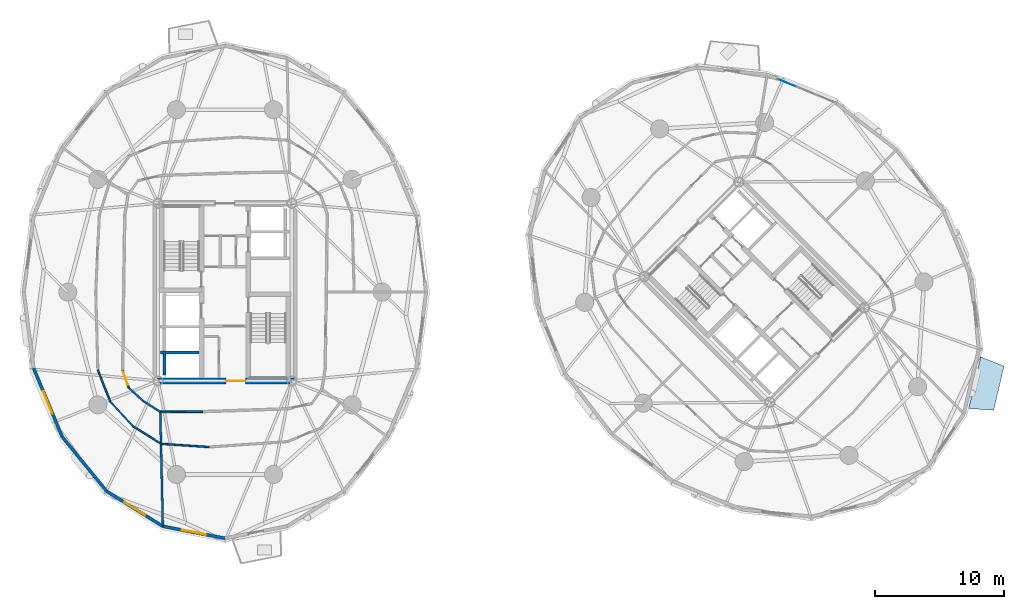
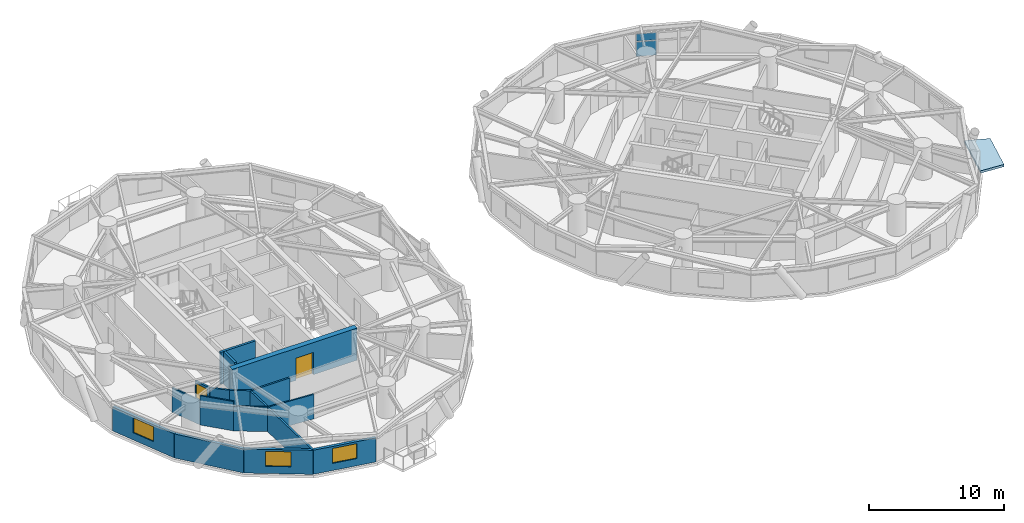
# One storey, part 8 of 18: 16 walls, 3 windows, 2 doors, 2 plates, 1 slab, 5 openings, 1 element without a shape of its own.
"""IFC4 building model written with IfcOpenShell, lengths in metres."""

from ifc_helpers import new_model, si_unit, direction, frame, frame_2d, origin, origin_2d, place, context, subcontext, project, spatial, polyline, rectangle, outline, extrude, source, transform, mapped, material, layer, layer_set, type_object, element, fill, aggregate, save


model = new_model("IFC4")

# Units and contexts
model_context = context("Model", 3, precision=1e-05, world=origin(), true_north=direction((0.0, 1.0)))
body_context = subcontext(model_context, "Body", "Model", "MODEL_VIEW")
ifc_project = project(units=[si_unit("LENGTHUNIT", "METRE"), si_unit("AREAUNIT", "SQUARE_METRE"), si_unit("VOLUMEUNIT", "CUBIC_METRE"), si_unit("PLANEANGLEUNIT", "RADIAN"), si_unit("MASSUNIT", "GRAM", prefix="KILO")], contexts=[model_context])

# Site, building, storey
site_placement = place(None, origin())
site = spatial("IfcSite", under=ifc_project, at=site_placement, CompositionType="ELEMENT")
building_placement = place(site_placement, origin())
building = spatial("IfcBuilding", under=site, at=building_placement, Name="Cununo Teusaquillo Station Towers", CompositionType="ELEMENT")
storey_placement = place(building_placement, frame((0.0, 0.0, 87.610107421875)))
storey = spatial("IfcBuildingStorey", under=building, at=storey_placement, Name="L27", CompositionType="ELEMENT", Elevation=87.610107421875)

# Slab
ifc_material_1 = material(Name="Concrete C50/60", Category="concrete")
ifc_layer_1 = layer(ifc_material_1, 0.2099609375)
ifc_layer_set_1 = layer_set([ifc_layer_1], Name="Concrete C50/60")
slab_type = type_object("IfcSlabType", Name="SLB-BAL-210", PredefinedType="FLOOR", material=ifc_layer_set_1)
slab_placement = place(storey_placement, frame((0.0, 0.0, -0.210205078125)))
element("IfcSlab", 1, at=slab_placement, inside=storey, type_object=slab_type, Name="L27 Tower B Tree Balcony Slab 2", PredefinedType="FLOOR", context=body_context, shape_type="SweptSolid", body=[
    extrude(outline(polyline([(74.1083984375, 15.4873046875), (75.04150390625, 19.486083984375), (76.83837890625, 18.7587890625), (76.04150390625, 15.344482421875), (74.1083984375, 15.4873046875)])), origin(), (0.0, 0.0, 1.0), 0.210205078125),
])

# Curtain wall, plates
ifc_material_2 = material(Name="Ceramic-fritted dark low-E double glazing", Category="glass")
ifc_layer_2 = layer(ifc_material_2, 0.179931640625)
ifc_layer_set_2 = layer_set([ifc_layer_2], Name="Ceramic-fritted dark low-E double glazing")
curtain_wall_type = type_object("IfcCurtainWallType", Name="CW-SYS-04", PredefinedType="USERDEFINED", material=ifc_layer_set_2)
curtain_wall_placement = place(storey_placement, origin())
curtain_wall = element("IfcCurtainWall", 2, at=curtain_wall_placement, inside=storey, type_object=curtain_wall_type, Name="L27 Tower B Facade Curtain Wall C01", ObjectType="FRITTED GLAZING", PredefinedType="USERDEFINED")
ifc_material_3 = material(Name="Ceramic-fritted dark low-E double glazing", Category="glass")
ifc_layer_3 = layer(ifc_material_3, 0.028076171875)
ifc_layer_set_3 = layer_set([ifc_layer_3], Name="Ceramic-fritted dark low-E double glazing")
plate_type = type_object("IfcPlateType", Name="CWP-FRIT-28", PredefinedType="CURTAIN_PANEL", material=ifc_layer_set_3)
shared_shape_1 = source(origin(), body_context, "Body", "SweptSolid", [
    extrude(rectangle(XDim=1.531005859375, YDim=0.028076171875, at=origin_2d()), origin(), (0.0, 0.0, 1.0), 1.31103515625),
])
plate_1_placement = place(storey_placement, frame((60.045654296875, 40.697021484375, 0.06982421875), z_axis=(0.0, 0.0, 1.0), x_axis=(0.924562443652, -0.381030560176, 0.0)))
plate_1 = element("IfcPlate", 3, at=plate_1_placement, type_object=plate_type, Name="CW-04 panel 1.1", PredefinedType="CURTAIN_PANEL", context=body_context, shape_type="MappedRepresentation", body=[
    mapped(shared_shape_1, transform((0.0, 0.0, 0.0), x_axis=(1.0, 0.0, 0.0), y_axis=(0.0, 1.0, 0.0), z_axis=(0.0, 0.0, 1.0), scale=1.0)),
])
shared_shape_2 = source(origin(), body_context, "Body", "SweptSolid", [
    extrude(rectangle(XDim=1.531005859375, YDim=0.028076171875, at=origin_2d()), origin(), (0.0, 0.0, 1.0), 0.657958984375),
])
plate_2_placement = place(storey_placement, frame((60.045654296875, 40.697021484375, 1.45068359375), z_axis=(0.0, 0.0, 1.0), x_axis=(0.924562443652, -0.381030560176, 0.0)))
plate_2 = element("IfcPlate", 4, at=plate_2_placement, type_object=plate_type, Name="CW-04 panel 1.2", PredefinedType="CURTAIN_PANEL", context=body_context, shape_type="MappedRepresentation", body=[
    mapped(shared_shape_2, transform((0.0, 0.0, 0.0), x_axis=(1.0, 0.0, 0.0), y_axis=(0.0, 1.0, 0.0), z_axis=(0.0, 0.0, 1.0), scale=1.0)),
])
aggregate(curtain_wall, [plate_1, plate_2])

# Walls
ifc_material_4 = material(Name="Concrete C50/60", Category="concrete")
ifc_layer_4 = layer(ifc_material_4, 0.199951171875)
ifc_layer_set_4 = layer_set([ifc_layer_4], Name="Concrete C50/60")
wall_type_1 = type_object("IfcWallType", Name="WL-CORE-200", PredefinedType="SHEAR", material=ifc_layer_set_4)
wall_1_placement = place(storey_placement, frame((11.52001953125, 19.824951171875, 0.0), z_axis=(0.0, 0.0, 1.0), x_axis=(1.0, 0.0, 0.0)))
element("IfcWall", 5, at=wall_1_placement, inside=storey, type_object=wall_type_1, Name="L27 Tower A High-Rise Lift Hoistway Divider Shear Wall", PredefinedType="SHEAR", context=body_context, shape_type="SweptSolid", body=[
    extrude(rectangle(XDim=2.969970703125, YDim=0.199951171875, at=frame_2d((1.48486328125, 0.0))), origin(), (0.0, 0.0, 1.0), 2.909912109375),
])
wall_2_placement = place(storey_placement, frame((11.820068359375, 18.070068359375, 0.0), z_axis=(0.0, 0.0, 1.0), x_axis=(0.0, 1.0, 0.0)))
element("IfcWall", 6, at=wall_2_placement, inside=storey, type_object=wall_type_1, Name="L27 Tower A High-Rise Lift 1 Shaft Rear Shear Wall", PredefinedType="SHEAR", context=body_context, shape_type="SweptSolid", body=[
    extrude(rectangle(XDim=1.635009765625, YDim=0.199951171875, at=frame_2d((0.8173828125, 0.0))), origin(), (0.0, 0.0, 1.0), 2.909912109375),
])

# Wall, opening, door
ifc_material_5 = material(Name="Concrete C60/75", Category="concrete")
ifc_layer_5 = layer(ifc_material_5, 0.449951171875)
ifc_layer_set_5 = layer_set([ifc_layer_5], Name="Concrete C60/75")
wall_type_2 = type_object("IfcWallType", Name="WL-CORE-450", PredefinedType="SHEAR", material=ifc_layer_set_5)
wall_3_placement = place(storey_placement, frame((11.14990234375, 17.625, 0.0), z_axis=(0.0, 0.0, 1.0), x_axis=(1.0, 0.0, 0.0)))
wall_3 = element("IfcWall", 7, at=wall_3_placement, inside=storey, type_object=wall_type_2, Name="L27 Tower A Core Shear Wall S", PredefinedType="SHEAR", context=body_context, shape_type="SweptSolid", body=[
    extrude(rectangle(XDim=10.7001953125, YDim=0.449951171875, at=frame_2d((5.35009765625, 0.0))), origin(), (0.0, 0.0, 1.0), 2.909912109375),
])
shared_shape_3 = source(origin(), body_context, "Body", "SweptSolid", [
    extrude(rectangle(XDim=1.5, YDim=2.02001953125, at=frame_2d((0.75, 1.010009765625))), frame((0.0, 0.23486328125, 0.0), z_axis=(0.0, -1.0, 0.0), x_axis=(1.0, 0.0, 0.0)), (0.0, 0.0, 1.0), 0.469970703125),
])
opening_1_placement = place(wall_3_placement, frame((5.449951171875, 0.0, 0.0)))
opening_1 = element("IfcOpeningElement", 8, at=opening_1_placement, cuts=wall_3, Name="Opening D-LB1", PredefinedType="OPENING", context=body_context, shape_type="MappedRepresentation", body=[
    mapped(shared_shape_3, transform((0.0, 0.0, 0.0), x_axis=(1.0, 0.0, 0.0), y_axis=(0.0, 1.0, 0.0), z_axis=(0.0, 0.0, 1.0), scale=1.0)),
])
ifc_material_6 = material(Name="Galvanised fire-rated hollow steel door assembly", Category="steel")
door_type_1 = type_object("IfcDoorType", Name="DR-LOBBY-1500", OperationType="DOUBLE_DOOR_SINGLE_SWING", PredefinedType="DOOR", material=ifc_material_6)
shared_shape_4 = source(origin(), body_context, "Body", "SweptSolid", [
    extrude(rectangle(XDim=1.5, YDim=2.02001953125, at=frame_2d((0.75, 1.010009765625))), frame((0.0, 0.02490234375, 0.0), z_axis=(0.0, -1.0, 0.0), x_axis=(1.0, 0.0, 0.0)), (0.0, 0.0, 1.0), 0.050048828125),
])
door_1_placement = place(opening_1_placement, origin())
door_1 = element("IfcDoor", 9, at=door_1_placement, inside=storey, type_object=door_type_1, Name="L27 Tower A South Core Lift Lobby Door", OperationType="DOUBLE_DOOR_SINGLE_SWING", OverallHeight=2.02001953125, OverallWidth=1.5, PredefinedType="DOOR", context=body_context, shape_type="MappedRepresentation", body=[
    mapped(shared_shape_4, transform((0.0, 0.0, 0.0), x_axis=(1.0, 0.0, 0.0), y_axis=(0.0, 1.0, 0.0), z_axis=(0.0, 0.0, 1.0), scale=1.0)),
])
fill(opening_1, door_1)

# Wall, opening, window
ifc_material_7 = material(Name="Precast concrete C40/50", Category="concrete")
ifc_layer_6 = layer(ifc_material_7, 0.239990234375)
ifc_layer_set_6 = layer_set([ifc_layer_6], Name="Precast concrete C40/50")
wall_type_3 = type_object("IfcWallType", Name="WL-EXT-240", PredefinedType="SOLIDWALL", material=ifc_layer_set_6)
wall_4_placement = place(storey_placement, frame((3.894775390625, 13.291015625, 0.0), z_axis=(0.0, 0.0, 1.0), x_axis=(-0.384344417632, 0.923189779317, 0.0)))
wall_4 = element("IfcWall", 10, at=wall_4_placement, inside=storey, type_object=wall_type_3, Name="L27 Tower A Exterior Facade Wall C11", PredefinedType="SOLIDWALL", context=body_context, shape_type="SweptSolid", body=[
    extrude(rectangle(XDim=5.75830078125, YDim=0.239990234375, at=frame_2d((2.879150390625, 0.0))), origin(), (0.0, 0.0, 1.0), 2.178955078125),
])
shared_shape_5 = source(origin(), body_context, "Body", "SweptSolid", [
    extrude(rectangle(XDim=1.89990234375, YDim=1.35009765625, at=frame_2d((0.949951171875, 0.675048828125))), frame((0.0, 0.1298828125, 0.0), z_axis=(0.0, -1.0, 0.0), x_axis=(1.0, 0.0, 0.0)), (0.0, 0.0, 1.0), 0.260009765625),
])
opening_2_placement = place(wall_4_placement, frame((1.928955078125, 0.0, 0.64990234375)))
opening_2 = element("IfcOpeningElement", 11, at=opening_2_placement, cuts=wall_4, Name="Opening WN-02", PredefinedType="OPENING", context=body_context, shape_type="MappedRepresentation", body=[
    mapped(shared_shape_5, transform((0.0, 0.0, 0.0), x_axis=(1.0, 0.0, 0.0), y_axis=(0.0, 1.0, 0.0), z_axis=(0.0, 0.0, 1.0), scale=1.0)),
])
ifc_material_8 = material(Name="Operable acoustic tinted low-E double glazing", Category="glass")
window_type = type_object("IfcWindowType", Name="WIN-OPER-1900", PartitioningType="DOUBLE_PANEL_VERTICAL", PredefinedType="WINDOW", material=ifc_material_8)
shared_shape_6 = source(origin(), body_context, "Body", "SweptSolid", [
    extrude(rectangle(XDim=1.89990234375, YDim=1.35009765625, at=frame_2d((0.949951171875, 0.675048828125))), frame((0.0, 0.030029296875, 0.0), z_axis=(0.0, -1.0, 0.0), x_axis=(1.0, 0.0, 0.0)), (0.0, 0.0, 1.0), 0.06005859375),
])
window_1_placement = place(opening_2_placement, origin())
window_1 = element("IfcWindow", 12, at=window_1_placement, inside=storey, type_object=window_type, Name="L27 Tower A Facade Window C11", OverallHeight=1.35009765625, OverallWidth=1.89990234375, PartitioningType="DOUBLE_PANEL_VERTICAL", PredefinedType="WINDOW", context=body_context, shape_type="MappedRepresentation", body=[
    mapped(shared_shape_6, transform((0.0, 0.0, 0.0), x_axis=(1.0, 0.0, 0.0), y_axis=(0.0, 1.0, 0.0), z_axis=(0.0, 0.0, 1.0), scale=1.0)),
])
fill(opening_2, window_1)

# Wall
wall_5_placement = place(storey_placement, frame((7.341796875, 9.072021484375, 0.0), z_axis=(0.0, 0.0, 1.0), x_axis=(-0.632700781152, 0.77439635945, 0.0)))
element("IfcWall", 13, at=wall_5_placement, inside=storey, type_object=wall_type_3, Name="L27 Tower A Exterior Facade Wall C12", PredefinedType="SOLIDWALL", context=body_context, shape_type="SweptSolid", body=[
    extrude(rectangle(XDim=5.447998046875, YDim=0.239990234375, at=frame_2d((2.72412109375, 0.0))), origin(), (0.0, 0.0, 1.0), 2.178955078125),
])

# Wall, opening, window
wall_6_placement = place(storey_placement, frame((11.685302734375, 6.36328125, 0.0), z_axis=(0.0, 0.0, 1.0), x_axis=(-0.848520380187, 0.529162701263, 0.0)))
wall_6 = element("IfcWall", 14, at=wall_6_placement, inside=storey, type_object=wall_type_3, Name="L27 Tower A Exterior Facade Wall C13", PredefinedType="SOLIDWALL", context=body_context, shape_type="SweptSolid", body=[
    extrude(rectangle(XDim=5.118896484375, YDim=0.239990234375, at=frame_2d((2.5595703125, 0.0))), origin(), (0.0, 0.0, 1.0), 2.178955078125),
])
opening_3_placement = place(wall_6_placement, frame((1.60888671875, 0.0, 0.64990234375)))
opening_3 = element("IfcOpeningElement", 15, at=opening_3_placement, cuts=wall_6, Name="Opening WN-02", PredefinedType="OPENING", context=body_context, shape_type="MappedRepresentation", body=[
    mapped(shared_shape_5, transform((0.0, 0.0, 0.0), x_axis=(1.0, 0.0, 0.0), y_axis=(0.0, 1.0, 0.0), z_axis=(0.0, 0.0, 1.0), scale=1.0)),
])
window_2_placement = place(opening_3_placement, origin())
window_2 = element("IfcWindow", 16, at=window_2_placement, inside=storey, type_object=window_type, Name="L27 Tower A Facade Window C13", OverallHeight=1.35009765625, OverallWidth=1.89990234375, PartitioningType="DOUBLE_PANEL_VERTICAL", PredefinedType="WINDOW", context=body_context, shape_type="MappedRepresentation", body=[
    mapped(shared_shape_6, transform((0.0, 0.0, 0.0), x_axis=(1.0, 0.0, 0.0), y_axis=(0.0, 1.0, 0.0), z_axis=(0.0, 0.0, 1.0), scale=1.0)),
])
fill(opening_3, window_2)

wall_7_placement = place(storey_placement, frame((16.5, 5.429931640625, 0.0), z_axis=(0.0, 0.0, 1.0), x_axis=(-0.981723785992, 0.190311344954, 0.0)))
wall_7 = element("IfcWall", 17, at=wall_7_placement, inside=storey, type_object=wall_type_3, Name="L27 Tower A Exterior Facade Wall C14", PredefinedType="SOLIDWALL", context=body_context, shape_type="SweptSolid", body=[
    extrude(rectangle(XDim=4.904296875, YDim=0.239990234375, at=frame_2d((2.4521484375, 0.0))), origin(), (0.0, 0.0, 1.0), 2.178955078125),
])
opening_4_placement = place(wall_7_placement, frame((1.501953125, 0.0, 0.64990234375)))
opening_4 = element("IfcOpeningElement", 18, at=opening_4_placement, cuts=wall_7, Name="Opening WN-02", PredefinedType="OPENING", context=body_context, shape_type="MappedRepresentation", body=[
    mapped(shared_shape_5, transform((0.0, 0.0, 0.0), x_axis=(1.0, 0.0, 0.0), y_axis=(0.0, 1.0, 0.0), z_axis=(0.0, 0.0, 1.0), scale=1.0)),
])
window_3_placement = place(opening_4_placement, origin())
window_3 = element("IfcWindow", 19, at=window_3_placement, inside=storey, type_object=window_type, Name="L27 Tower A Facade Window C14", OverallHeight=1.35009765625, OverallWidth=1.89990234375, PartitioningType="DOUBLE_PANEL_VERTICAL", PredefinedType="WINDOW", context=body_context, shape_type="MappedRepresentation", body=[
    mapped(shared_shape_6, transform((0.0, 0.0, 0.0), x_axis=(1.0, 0.0, 0.0), y_axis=(0.0, 1.0, 0.0), z_axis=(0.0, 0.0, 1.0), scale=1.0)),
])
fill(opening_4, window_3)

# Walls
ifc_material_9 = material(Name="Fire-rated gypsum plasterboard partition assembly", Category="gypsum")
ifc_layer_7 = layer(ifc_material_9, 0.125)
ifc_layer_set_7 = layer_set([ifc_layer_7], Name="Fire-rated gypsum plasterboard partition assembly")
wall_type_4 = type_object("IfcWallType", Name="WL-PART-125", PredefinedType="PARTITIONING", material=ifc_layer_set_7)
wall_8_placement = place(storey_placement, frame((6.658935546875, 18.462158203125, 0.0), z_axis=(0.0, 0.0, 1.0), x_axis=(0.364644852064, -0.931146675805, 0.0)))
element("IfcWall", 20, at=wall_8_placement, inside=storey, type_object=wall_type_4, Name="L27 Tower A Client Demo Briefing Gallery Concentric Partition Wall C11", PredefinedType="PARTITIONING", context=body_context, shape_type="SweptSolid", body=[
    extrude(rectangle(XDim=2.62451171875, YDim=0.125, at=frame_2d((1.312255859375, 0.0))), origin(), (0.0, 0.0, 1.0), 2.224853515625),
])
wall_9_placement = place(storey_placement, frame((7.615966796875, 16.018310546875, 0.0), z_axis=(0.0, 0.0, 1.0), x_axis=(0.67871125453, -0.734405223956, 0.0)))
element("IfcWall", 21, at=wall_9_placement, inside=storey, type_object=wall_type_4, Name="L27 Tower A Client Demo Briefing Gallery Concentric Partition Wall C12", PredefinedType="PARTITIONING", context=body_context, shape_type="SweptSolid", body=[
    extrude(rectangle(XDim=2.58642578125, YDim=0.125, at=frame_2d((1.293212890625, 0.0))), origin(), (0.0, 0.0, 1.0), 2.65478515625),
])
wall_10_placement = place(storey_placement, frame((9.371337890625, 14.118896484375, 0.0), z_axis=(0.0, 0.0, 1.0), x_axis=(0.846446940893, -0.532473075613, 0.0)))
element("IfcWall", 22, at=wall_10_placement, inside=storey, type_object=wall_type_4, Name="L27 Tower A Client Demo Briefing Gallery Concentric Partition Wall C13", PredefinedType="PARTITIONING", context=body_context, shape_type="SweptSolid", body=[
    extrude(rectangle(XDim=2.56982421875, YDim=0.125, at=frame_2d((1.284912109375, 0.0))), origin(), (0.0, 0.0, 1.0), 2.224853515625),
])
wall_11_placement = place(storey_placement, frame((11.546630859375, 12.75048828125, 0.0), z_axis=(0.0, 0.0, 1.0), x_axis=(0.997731575096, -0.067317932645, 0.0)))
element("IfcWall", 23, at=wall_11_placement, inside=storey, type_object=wall_type_4, Name="L27 Tower A Staff Espresso & Pantry Lounge Concentric Partition Wall C14", PredefinedType="PARTITIONING", context=body_context, shape_type="SweptSolid", body=[
    extrude(rectangle(XDim=3.73193359375, YDim=0.125, at=frame_2d((1.865966796875, 0.0))), origin(), (0.0, 0.0, 1.0), 2.224853515625),
])

# Wall, opening, door
ifc_material_10 = material(Name="Fire-rated gypsum plasterboard partition assembly", Category="gypsum")
ifc_layer_8 = layer(ifc_material_10, 0.14990234375)
ifc_layer_set_8 = layer_set([ifc_layer_8], Name="Fire-rated gypsum plasterboard partition assembly")
wall_type_5 = type_object("IfcWallType", Name="WL-PART-150", PredefinedType="PARTITIONING", material=ifc_layer_set_8)
wall_12_placement = place(storey_placement, frame((8.58740234375, 18.4033203125, 0.0), z_axis=(0.0, 0.0, 1.0), x_axis=(0.333119120686, -0.942884749815, 0.0)))
wall_12 = element("IfcWall", 24, at=wall_12_placement, inside=storey, type_object=wall_type_5, Name="L27 Tower A Corridor Ring Wall C11", PredefinedType="PARTITIONING", context=body_context, shape_type="SweptSolid", body=[
    extrude(rectangle(XDim=1.409423828125, YDim=0.14990234375, at=frame_2d((0.70458984375, 0.0))), origin(), (0.0, 0.0, 1.0), 2.224853515625),
])
shared_shape_7 = source(origin(), body_context, "Body", "SweptSolid", [
    extrude(rectangle(XDim=1.050048828125, YDim=2.014892578125, at=frame_2d((0.52490234375, 1.00732421875))), frame((0.0, 0.0849609375, 0.0), z_axis=(0.0, -1.0, 0.0), x_axis=(1.0, 0.0, 0.0)), (0.0, 0.0, 1.0), 0.169921875),
])
opening_5_placement = place(wall_12_placement, frame((0.1201171875, 0.0, 0.0)))
opening_5 = element("IfcOpeningElement", 25, at=opening_5_placement, cuts=wall_12, Name="Opening D-SU1", PredefinedType="OPENING", context=body_context, shape_type="MappedRepresentation", body=[
    mapped(shared_shape_7, transform((0.0, 0.0, 0.0), x_axis=(1.0, 0.0, 0.0), y_axis=(0.0, 1.0, 0.0), z_axis=(0.0, 0.0, 1.0), scale=1.0)),
])
ifc_material_11 = material(Name="Acoustic solid-core hardwood leaf assembly", Category="wood")
door_type_2 = type_object("IfcDoorType", Name="DR-SUITE-1050", OperationType="NOTDEFINED", PredefinedType="DOOR", material=ifc_material_11)
shared_shape_8 = source(origin(), body_context, "Body", "SweptSolid", [
    extrude(rectangle(XDim=1.050048828125, YDim=2.014892578125, at=frame_2d((0.52490234375, 1.00732421875))), frame((0.0, 0.02490234375, 0.0), z_axis=(0.0, -1.0, 0.0), x_axis=(1.0, 0.0, 0.0)), (0.0, 0.0, 1.0), 0.050048828125),
])
door_2_placement = place(opening_5_placement, origin())
door_2 = element("IfcDoor", 26, at=door_2_placement, inside=storey, type_object=door_type_2, Name="L27 Tower A Client Demo Briefing Gallery Entrance Door", OperationType="SINGLE_SWING_RIGHT", OverallHeight=2.014892578125, OverallWidth=1.050048828125, PredefinedType="DOOR", context=body_context, shape_type="MappedRepresentation", body=[
    mapped(shared_shape_8, transform((0.0, 0.0, 0.0), x_axis=(1.0, 0.0, 0.0), y_axis=(0.0, 1.0, 0.0), z_axis=(0.0, 0.0, 1.0), scale=1.0)),
])
fill(opening_5, door_2)

# Walls
wall_13_placement = place(storey_placement, frame((9.056884765625, 17.074462890625, 0.0), z_axis=(0.0, 0.0, 1.0), x_axis=(0.739999571423, -0.672607340351, 0.0)))
element("IfcWall", 27, at=wall_13_placement, inside=storey, type_object=wall_type_5, Name="L27 Tower A Corridor Ring Wall C12", PredefinedType="PARTITIONING", context=body_context, shape_type="SweptSolid", body=[
    extrude(rectangle(XDim=1.4853515625, YDim=0.14990234375, at=frame_2d((0.74267578125, 0.0))), origin(), (0.0, 0.0, 1.0), 2.224853515625),
])
wall_14_placement = place(storey_placement, frame((10.156005859375, 16.075439453125, 0.0), z_axis=(0.0, 0.0, 1.0), x_axis=(0.843896624713, -0.536505812455, 0.0)))
element("IfcWall", 28, at=wall_14_placement, inside=storey, type_object=wall_type_5, Name="L27 Tower A Corridor Ring Wall C13", PredefinedType="PARTITIONING", context=body_context, shape_type="SweptSolid", body=[
    extrude(rectangle(XDim=1.581298828125, YDim=0.14990234375, at=frame_2d((0.79052734375, 0.0))), origin(), (0.0, 0.0, 1.0), 2.224853515625),
])
wall_15_placement = place(storey_placement, frame((11.490478515625, 15.22705078125, 0.0), z_axis=(0.0, 0.0, 1.0), x_axis=(0.999991728046, 0.004067411998, 0.0)))
element("IfcWall", 29, at=wall_15_placement, inside=storey, type_object=wall_type_5, Name="L27 Tower A Corridor Ring Wall C14", PredefinedType="PARTITIONING", context=body_context, shape_type="SweptSolid", body=[
    extrude(rectangle(XDim=3.30126953125, YDim=0.14990234375, at=frame_2d((1.650634765625, 0.0))), origin(), (0.0, 0.0, 1.0), 2.224853515625),
])
ifc_material_12 = material(Name="Fire-rated gypsum plasterboard partition assembly", Category="gypsum")
ifc_layer_9 = layer(ifc_material_12, 0.159912109375)
ifc_layer_set_9 = layer_set([ifc_layer_9], Name="Fire-rated gypsum plasterboard partition assembly")
wall_type_6 = type_object("IfcWallType", Name="WL-PART-160", PredefinedType="PARTITIONING", material=ifc_layer_set_9)
wall_16_placement = place(storey_placement, frame((11.490478515625, 15.22705078125, 0.0), z_axis=(0.0, 0.0, 1.0), x_axis=(0.022711375682, -0.999742063442, 0.0)))
element("IfcWall", 30, at=wall_16_placement, inside=storey, type_object=wall_type_6, Name="L27 Tower A Radial Suite Partition R04", PredefinedType="PARTITIONING", context=body_context, shape_type="SweptSolid", body=[
    extrude(rectangle(XDim=8.846923828125, YDim=0.159912109375, at=frame_2d((4.42333984375, 0.0))), origin(), (0.0, 0.0, 1.0), 2.178955078125),
])

save(model, "model.ifc")
